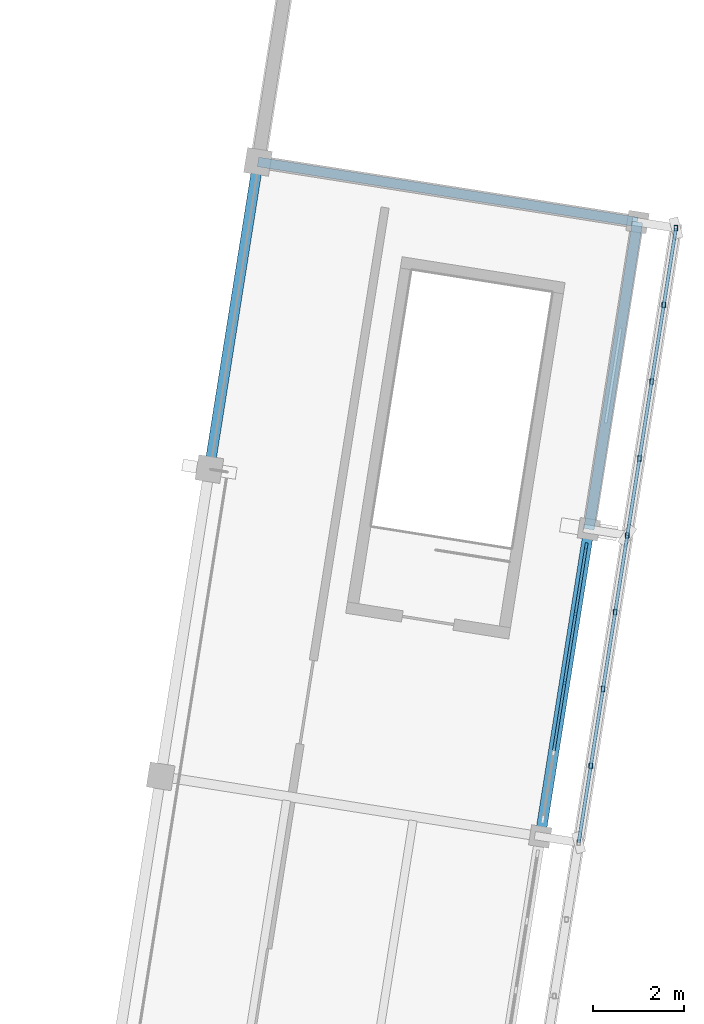
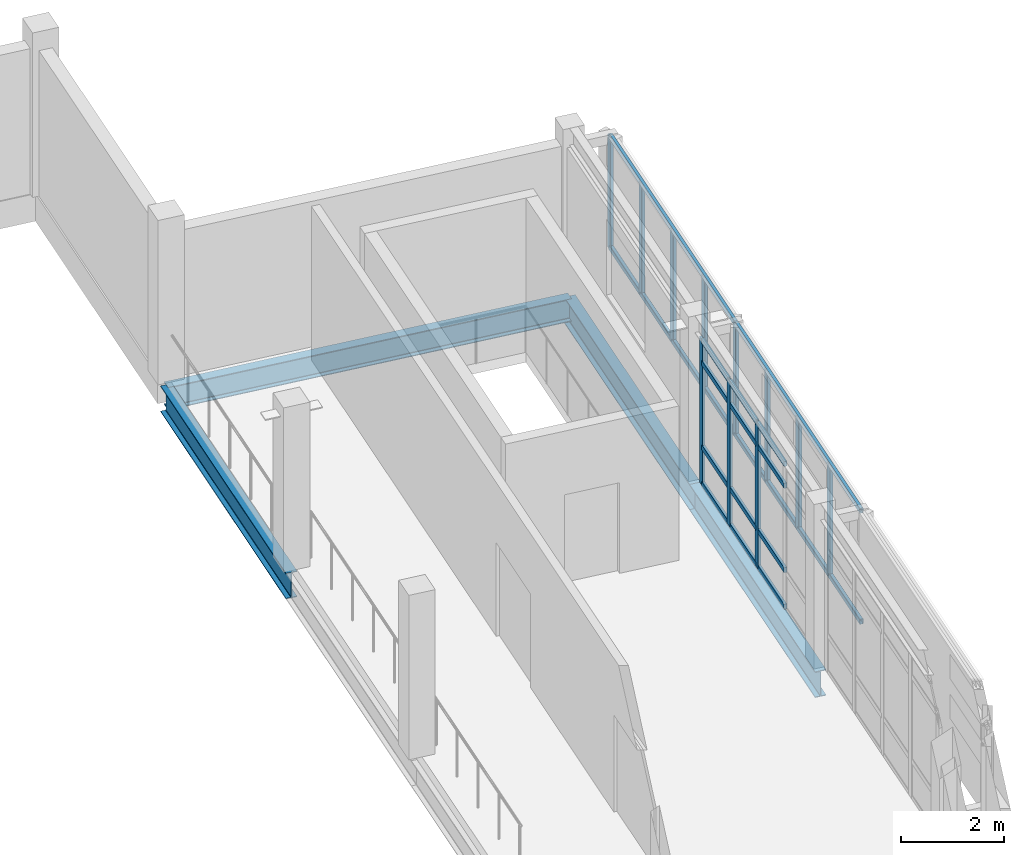
# One storey, part 77 of 117: 27 members, 4 beams, 1 element without a shape of its own.
"""IFC4 building model written with IfcOpenShell, lengths in metres."""

import ifcopenshell
import ifcopenshell.guid

model = None  # the IFC model being written
_history = None  # IfcOwnerHistory: only IFC2X3 demands one
_inside = {}  # id of a spatial element -> (the spatial element, [elements in it])
_under = {}  # id of a project, library or spatial element -> (it, [spatial elements below it])
_declared = {}  # id of a project -> (the project, [libraries it declares])
_typed = {}  # id of a type object -> (the type object, [elements of that type])
_made_of = {}  # id of a material, layer set ... -> (it, [elements and type objects made of it])


def new_model(schema):
    """Start an empty IFC model of exactly this schema.

    Asked for "IFC4X3", IfcOpenShell would pick the latest addendum, in which some entities
    have other attributes; the version numbers below select the first issue.
    IFC2X3 requires an IfcOwnerHistory on every rooted entity: one is made here for all.
    """
    global model, _history
    if schema == "IFC4X3":
        model = ifcopenshell.file(schema_version=(4, 3, 0, 0))
    else:
        model = ifcopenshell.file(schema=schema)
    _inside.clear()
    _under.clear()
    _declared.clear()
    _typed.clear()
    _made_of.clear()
    _history = None
    if model.schema == "IFC2X3":
        org = make("IfcOrganization", Name="unknown")
        user = make(
            "IfcPersonAndOrganization",
            ThePerson=make("IfcPerson", FamilyName="unknown"),
            TheOrganization=org,
        )
        app = make(
            "IfcApplication",
            ApplicationDeveloper=org,
            Version="unknown",
            ApplicationFullName="unknown",
            ApplicationIdentifier="unknown",
        )
        _history = make(
            "IfcOwnerHistory",
            OwningUser=user,
            OwningApplication=app,
            ChangeAction="ADDED",
            CreationDate=0,
        )
    return model


def make(cls, **values):
    """One entity of the class cls with the attributes given. An attribute that is None is left unset."""
    return model.create_entity(
        cls, **{name: value for name, value in values.items() if value is not None}
    )


def rooted(cls, **values):
    """An entity with a GlobalId (a new one), such as an element, a storey or a relation."""
    return make(cls, GlobalId=ifcopenshell.guid.new(), OwnerHistory=_history, **values)


def si_unit(unit_type, name, prefix=None):
    """IfcSIUnit, for example si_unit("LENGTHUNIT", "METRE", prefix="MILLI")."""
    return make("IfcSIUnit", UnitType=unit_type, Prefix=prefix, Name=name)


def assignment(units):
    """IfcUnitAssignment: the units of a project."""
    return None if units is None else make("IfcUnitAssignment", Units=units)


def point(xyz):
    """IfcCartesianPoint."""
    return None if xyz is None else make("IfcCartesianPoint", Coordinates=xyz)


def direction(xyz):
    """IfcDirection."""
    return None if xyz is None else make("IfcDirection", DirectionRatios=xyz)


def frame(location, z_axis=None, x_axis=None):
    """IfcAxis2Placement3D, a coordinate frame: its origin and axes. An axis left out is left unset."""
    return make(
        "IfcAxis2Placement3D",
        Location=point(location),
        Axis=direction(z_axis),
        RefDirection=direction(x_axis),
    )


def frame_2d(location, x_axis=None):
    """IfcAxis2Placement2D, a coordinate frame in the plane: its origin and x axis."""
    return make(
        "IfcAxis2Placement2D", Location=point(location), RefDirection=direction(x_axis)
    )


def origin():
    """The frame at (0, 0, 0) with its axes left unset."""
    return frame((0.0, 0.0, 0.0))


def origin_2d():
    """The frame at (0, 0) in the plane with its x axis left unset."""
    return frame_2d((0.0, 0.0))


def place(relative_to, where):
    """IfcLocalPlacement: puts the frame where relative to a parent placement (None: the world)."""
    return make(
        "IfcLocalPlacement", PlacementRelTo=relative_to, RelativePlacement=where
    )


def context(
    kind, dimensions, precision=None, world=None, true_north=None, identifier=None
):
    """IfcGeometricRepresentationContext, for example the 3D "Model" context."""
    return make(
        "IfcGeometricRepresentationContext",
        ContextIdentifier=identifier,
        ContextType=kind,
        CoordinateSpaceDimension=dimensions,
        Precision=precision,
        WorldCoordinateSystem=world,
        TrueNorth=true_north,
    )


def subcontext(parent, identifier, kind, view, scale=None):
    """IfcGeometricRepresentationSubContext, for example "Body" below "Model"."""
    return make(
        "IfcGeometricRepresentationSubContext",
        ContextIdentifier=identifier,
        ContextType=kind,
        ParentContext=parent,
        TargetScale=scale,
        TargetView=view,
    )


def project(units=None, contexts=None):
    """IfcProject with its units and contexts."""
    return rooted(
        "IfcProject",
        Name="project",
        RepresentationContexts=contexts,
        UnitsInContext=assignment(units),
    )


def spatial(cls, under=None, at=None, **own):
    """A site, building, storey or space (cls), placed at a placement, below another one or the project."""
    s = rooted(cls, ObjectPlacement=at, **own)
    if under is not None:
        _under.setdefault(under.id(), (under, []))[1].append(s)
    return s


def profile(cls, at=None, kind="AREA", **sizes):
    """A parametric profile (cls). Its sizes go by their IFC names, for example OverallWidth=200.0."""
    return make(cls, ProfileType=kind, Position=at, **sizes)


def rectangle(**sizes):
    """IfcRectangleProfileDef."""
    return profile("IfcRectangleProfileDef", **sizes)


def hollow_rectangle(**sizes):
    """IfcRectangleHollowProfileDef."""
    return profile("IfcRectangleHollowProfileDef", **sizes)


def i_section(**sizes):
    """IfcIShapeProfileDef."""
    return profile("IfcIShapeProfileDef", **sizes)


def extrude(swept, where, along, depth):
    """IfcExtrudedAreaSolid: the profile swept, set in the frame where, extruded along a direction by depth."""
    return make(
        "IfcExtrudedAreaSolid",
        SweptArea=swept,
        Position=where,
        ExtrudedDirection=direction(along),
        Depth=depth,
    )


def shape(context_of_items, identifier, shape_type, items):
    """IfcShapeRepresentation: the items that make up one representation, for example the "Body"."""
    return make(
        "IfcShapeRepresentation",
        ContextOfItems=context_of_items,
        RepresentationIdentifier=identifier,
        RepresentationType=shape_type,
        Items=items,
    )


def material(Name=None, Category=None):
    """IfcMaterial."""
    return make("IfcMaterial", Name=Name, Category=Category)


def material_profile(
    of_material, cross_section, Name=None, Category=None, Priority=None
):
    """IfcMaterialProfile: a cross section and its material."""
    return make(
        "IfcMaterialProfile",
        Name=Name,
        Material=of_material,
        Profile=cross_section,
        Priority=Priority,
        Category=Category,
    )


def profile_set(profiles, Name=None, composite=None):
    """IfcMaterialProfileSet."""
    return make(
        "IfcMaterialProfileSet",
        Name=Name,
        MaterialProfiles=profiles,
        CompositeProfile=composite,
    )


def made_of(thing, what):
    """Note that an element or type object is made of a material, layer set ...; save() writes the relation."""
    if what is not None:
        _made_of.setdefault(what.id(), (what, []))[1].append(thing)
    return thing


def type_object(cls, material=None, **own):
    """A type object (cls), such as IfcWallType, which elements share."""
    return made_of(rooted(cls, **own), material)


def element(
    cls,
    number,
    at=None,
    inside=None,
    cuts=None,
    type_object=None,
    material=None,
    context=None,
    identifier="Body",
    shape_type=None,
    held_by="IfcProductDefinitionShape",
    body=None,
    shapes=None,
    **own,
):
    """One element of the class cls, such as IfcWall. Its Tag is "e" and its number.

    at: its placement. inside: the storey or other place that contains it. cuts: it is an
    opening in that element (IfcRelVoidsElement). A single representation is given by context,
    identifier, shape_type and body (its items); several are given by shapes. held_by: the class
    of the entity that holds the representations. save() writes the other relations.
    """
    e = rooted(cls, Tag="e%d" % number, ObjectPlacement=at, **own)
    if body is not None:
        shapes = [shape(context, identifier, shape_type, body)]
    if shapes is not None:
        e.Representation = make(held_by, Representations=shapes)
    if inside is not None:
        _inside.setdefault(inside.id(), (inside, []))[1].append(e)
    if cuts is not None:
        rooted(
            "IfcRelVoidsElement", RelatingBuildingElement=cuts, RelatedOpeningElement=e
        )
    if type_object is not None:
        _typed.setdefault(type_object.id(), (type_object, []))[1].append(e)
    return made_of(e, material)


def aggregate(whole, parts):
    """IfcRelAggregates: a whole, such as a stair, and the parts it consists of."""
    return rooted("IfcRelAggregates", RelatingObject=whole, RelatedObjects=parts)


def save(model, path):
    """Write the relations noted so far, then the file.

    IfcRelAggregates (storeys below a building ...), IfcRelContainedInSpatialStructure (elements
    in a storey), IfcRelDefinesByType, IfcRelAssociatesMaterial and IfcRelDeclares: one each for
    every whole, place, type object, material and project.
    """
    for whole, parts in _under.values():
        aggregate(whole, parts)
    for where, things in _inside.values():
        rooted(
            "IfcRelContainedInSpatialStructure",
            RelatedElements=things,
            RelatingStructure=where,
        )
    for kind, things in _typed.values():
        rooted("IfcRelDefinesByType", RelatedObjects=things, RelatingType=kind)
    for what, things in _made_of.values():
        rooted("IfcRelAssociatesMaterial", RelatedObjects=things, RelatingMaterial=what)
    for by, libraries in _declared.values():
        rooted("IfcRelDeclares", RelatingContext=by, RelatedDefinitions=libraries)
    model.write(path)


model = new_model("IFC4")

# Units and contexts
model_context = context("Model", 3, precision=1e-05, world=origin(), true_north=direction((0.0, 1.0)))
body_context = subcontext(model_context, "Body", "Model", "MODEL_VIEW")
ifc_project = project(units=[si_unit("LENGTHUNIT", "METRE"), si_unit("AREAUNIT", "SQUARE_METRE"), si_unit("VOLUMEUNIT", "CUBIC_METRE"), si_unit("PLANEANGLEUNIT", "RADIAN"), si_unit("MASSUNIT", "GRAM", prefix="KILO")], contexts=[model_context])

# Site, building, storey
site_placement = place(None, origin())
site = spatial("IfcSite", under=ifc_project, at=site_placement, CompositionType="ELEMENT")
building_placement = place(site_placement, origin())
building = spatial("IfcBuilding", under=site, at=building_placement, Name="Cinderway Yard Community Centre", CompositionType="ELEMENT")
storey_placement = place(building_placement, frame((0.0, 0.0, 9.0)))
storey = spatial("IfcBuildingStorey", under=building, at=storey_placement, Name="L02", CompositionType="ELEMENT", Elevation=9.0)

# Curtain wall, members
ifc_material_1 = material(Name="Aluminium 6063-T6", Category="aluminium")
curtain_wall_type = type_object("IfcCurtainWallType", Name="ENV-CW-TYPE-19", PredefinedType="USERDEFINED", material=ifc_material_1)
curtain_wall_placement = place(storey_placement, origin())
curtain_wall = element("IfcCurtainWall", 1, at=curtain_wall_placement, inside=storey, type_object=curtain_wall_type, Name="Fitness East Curtain Wall ENV-CW-L02-ST-0068", ObjectType="GLAZED CURTAIN WALL", PredefinedType="USERDEFINED")
ifc_material_profile_1 = material_profile(ifc_material_1, rectangle(XDim=0.06005859375, YDim=0.159912109375, at=origin_2d()), Name="Aluminium 6063-T6")
ifc_profile_set_1 = profile_set([ifc_material_profile_1], Name="Aluminium 6063-T6")
member_type_1 = type_object("IfcMemberType", Name="ENV-CW-MULL-150", PredefinedType="MULLION", material=ifc_profile_set_1)
member_1_placement = place(storey_placement, frame((151.35400390625, 56.81396484375, 0.0), z_axis=(0.0, 0.0, 1.0), x_axis=(-0.987691073089, 0.156417211778, 0.0)))
member_1 = element("IfcMember", 2, at=member_1_placement, type_object=member_type_1, Name="CW-19 mullion 3", PredefinedType="MULLION", context=body_context, shape_type="SweptSolid", body=[
    extrude(rectangle(XDim=0.06005859375, YDim=0.159912109375, at=origin_2d()), origin(), (0.0, 0.0, 1.0), 3.449951171875),
])
member_2_placement = place(storey_placement, frame((151.592529296875, 58.320068359375, 0.0), z_axis=(0.0, 0.0, 1.0), x_axis=(-0.987691073089, 0.156417211778, 0.0)))
member_2 = element("IfcMember", 3, at=member_2_placement, type_object=member_type_1, Name="CW-19 mullion 4", PredefinedType="MULLION", context=body_context, shape_type="SweptSolid", body=[
    extrude(rectangle(XDim=0.06005859375, YDim=0.159912109375, at=origin_2d()), origin(), (0.0, 0.0, 1.0), 3.449951171875),
])
member_3_placement = place(storey_placement, frame((151.826416015625, 59.79638671875, 0.0), z_axis=(0.0, 0.0, 1.0), x_axis=(-0.987691073089, 0.156417211778, 0.0)))
member_3 = element("IfcMember", 4, at=member_3_placement, type_object=member_type_1, Name="CW-19 mullion 5", PredefinedType="MULLION", context=body_context, shape_type="SweptSolid", body=[
    extrude(rectangle(XDim=0.06005859375, YDim=0.159912109375, at=origin_2d()), origin(), (0.0, 0.0, 1.0), 3.449951171875),
])
ifc_material_profile_2 = material_profile(ifc_material_1, rectangle(XDim=0.06005859375, YDim=0.1201171875, at=origin_2d()), Name="Aluminium 6063-T6")
ifc_profile_set_2 = profile_set([ifc_material_profile_2], Name="Aluminium 6063-T6")
member_type_2 = type_object("IfcMemberType", Name="ENV-CW-TRAN-110", PredefinedType="USERDEFINED", material=ifc_profile_set_2)
member_4_placement = place(storey_placement, frame((151.1201171875, 55.337646484375, 0.030029296875), z_axis=(0.156501745439, 0.987677682078, 0.0), x_axis=(-0.987677682078, 0.156501745439, 0.0)))
member_4 = element("IfcMember", 5, at=member_4_placement, type_object=member_type_2, Name="CW-19 transom 2.1", ObjectType="TRANSOM", PredefinedType="USERDEFINED", context=body_context, shape_type="SweptSolid", body=[
    extrude(rectangle(XDim=0.06005859375, YDim=0.1201171875, at=origin_2d()), origin(), (0.0, 0.0, 1.0), 1.46484375),
])
member_5_placement = place(storey_placement, frame((151.1201171875, 55.337646484375, 0.89990234375), z_axis=(0.156501745439, 0.987677682078, 0.0), x_axis=(-0.987677682078, 0.156501745439, 0.0)))
member_5 = element("IfcMember", 6, at=member_5_placement, type_object=member_type_2, Name="CW-19 transom 2.2", ObjectType="TRANSOM", PredefinedType="USERDEFINED", context=body_context, shape_type="SweptSolid", body=[
    extrude(rectangle(XDim=0.06005859375, YDim=0.1201171875, at=origin_2d()), origin(), (0.0, 0.0, 1.0), 1.46484375),
])
member_6_placement = place(storey_placement, frame((151.1201171875, 55.337646484375, 2.89990234375), z_axis=(0.156501745439, 0.987677682078, 0.0), x_axis=(-0.987677682078, 0.156501745439, 0.0)))
member_6 = element("IfcMember", 7, at=member_6_placement, type_object=member_type_2, Name="CW-19 transom 2.3", ObjectType="TRANSOM", PredefinedType="USERDEFINED", context=body_context, shape_type="SweptSolid", body=[
    extrude(rectangle(XDim=0.06005859375, YDim=0.1201171875, at=origin_2d()), origin(), (0.0, 0.0, 1.0), 1.46484375),
])
member_7_placement = place(storey_placement, frame((151.1201171875, 55.337646484375, 3.419921875), z_axis=(0.156501745439, 0.987677682078, 0.0), x_axis=(-0.987677682078, 0.156501745439, 0.0)))
member_7 = element("IfcMember", 8, at=member_7_placement, type_object=member_type_2, Name="CW-19 transom 2.4", ObjectType="TRANSOM", PredefinedType="USERDEFINED", context=body_context, shape_type="SweptSolid", body=[
    extrude(rectangle(XDim=0.06005859375, YDim=0.1201171875, at=origin_2d()), origin(), (0.0, 0.0, 1.0), 1.46484375),
])
member_8_placement = place(storey_placement, frame((151.358642578125, 56.84375, 0.030029296875), z_axis=(0.156527512128, 0.987673598891, 0.0), x_axis=(-0.987673598891, 0.156527512128, 0.0)))
member_8 = element("IfcMember", 9, at=member_8_placement, type_object=member_type_2, Name="CW-19 transom 3.1", ObjectType="TRANSOM", PredefinedType="USERDEFINED", context=body_context, shape_type="SweptSolid", body=[
    extrude(rectangle(XDim=0.06005859375, YDim=0.1201171875, at=origin_2d()), origin(), (0.0, 0.0, 1.0), 1.464599609375),
])
member_9_placement = place(storey_placement, frame((151.358642578125, 56.84375, 0.89990234375), z_axis=(0.156527512128, 0.987673598891, 0.0), x_axis=(-0.987673598891, 0.156527512128, 0.0)))
member_9 = element("IfcMember", 10, at=member_9_placement, type_object=member_type_2, Name="CW-19 transom 3.2", ObjectType="TRANSOM", PredefinedType="USERDEFINED", context=body_context, shape_type="SweptSolid", body=[
    extrude(rectangle(XDim=0.06005859375, YDim=0.1201171875, at=origin_2d()), origin(), (0.0, 0.0, 1.0), 1.464599609375),
])
member_10_placement = place(storey_placement, frame((151.358642578125, 56.84375, 2.89990234375), z_axis=(0.156527512128, 0.987673598891, 0.0), x_axis=(-0.987673598891, 0.156527512128, 0.0)))
member_10 = element("IfcMember", 11, at=member_10_placement, type_object=member_type_2, Name="CW-19 transom 3.3", ObjectType="TRANSOM", PredefinedType="USERDEFINED", context=body_context, shape_type="SweptSolid", body=[
    extrude(rectangle(XDim=0.06005859375, YDim=0.1201171875, at=origin_2d()), origin(), (0.0, 0.0, 1.0), 1.464599609375),
])
member_11_placement = place(storey_placement, frame((151.358642578125, 56.84375, 3.419921875), z_axis=(0.156527512128, 0.987673598891, 0.0), x_axis=(-0.987673598891, 0.156527512128, 0.0)))
member_11 = element("IfcMember", 12, at=member_11_placement, type_object=member_type_2, Name="CW-19 transom 3.4", ObjectType="TRANSOM", PredefinedType="USERDEFINED", context=body_context, shape_type="SweptSolid", body=[
    extrude(rectangle(XDim=0.06005859375, YDim=0.1201171875, at=origin_2d()), origin(), (0.0, 0.0, 1.0), 1.464599609375),
])
member_12_placement = place(storey_placement, frame((151.59716796875, 58.349609375, 0.030029296875), z_axis=(0.156364473776, 0.98769942358, 0.0), x_axis=(-0.98769942358, 0.156364473776, 0.0)))
member_12 = element("IfcMember", 13, at=member_12_placement, type_object=member_type_2, Name="CW-19 transom 4.1", ObjectType="TRANSOM", PredefinedType="USERDEFINED", context=body_context, shape_type="SweptSolid", body=[
    extrude(rectangle(XDim=0.06005859375, YDim=0.1201171875, at=origin_2d()), origin(), (0.0, 0.0, 1.0), 1.434814453125),
])
member_13_placement = place(storey_placement, frame((151.59716796875, 58.349609375, 0.89990234375), z_axis=(0.156364473776, 0.98769942358, 0.0), x_axis=(-0.98769942358, 0.156364473776, 0.0)))
member_13 = element("IfcMember", 14, at=member_13_placement, type_object=member_type_2, Name="CW-19 transom 4.2", ObjectType="TRANSOM", PredefinedType="USERDEFINED", context=body_context, shape_type="SweptSolid", body=[
    extrude(rectangle(XDim=0.06005859375, YDim=0.1201171875, at=origin_2d()), origin(), (0.0, 0.0, 1.0), 1.434814453125),
])
member_14_placement = place(storey_placement, frame((151.59716796875, 58.349609375, 2.89990234375), z_axis=(0.156364473776, 0.98769942358, 0.0), x_axis=(-0.98769942358, 0.156364473776, 0.0)))
member_14 = element("IfcMember", 15, at=member_14_placement, type_object=member_type_2, Name="CW-19 transom 4.3", ObjectType="TRANSOM", PredefinedType="USERDEFINED", context=body_context, shape_type="SweptSolid", body=[
    extrude(rectangle(XDim=0.06005859375, YDim=0.1201171875, at=origin_2d()), origin(), (0.0, 0.0, 1.0), 1.434814453125),
])
member_15_placement = place(storey_placement, frame((151.59716796875, 58.349609375, 3.419921875), z_axis=(0.156364473776, 0.98769942358, 0.0), x_axis=(-0.98769942358, 0.156364473776, 0.0)))
member_15 = element("IfcMember", 16, at=member_15_placement, type_object=member_type_2, Name="CW-19 transom 4.4", ObjectType="TRANSOM", PredefinedType="USERDEFINED", context=body_context, shape_type="SweptSolid", body=[
    extrude(rectangle(XDim=0.06005859375, YDim=0.1201171875, at=origin_2d()), origin(), (0.0, 0.0, 1.0), 1.434814453125),
])
aggregate(curtain_wall, [member_1, member_2, member_3, member_4, member_5, member_6, member_7, member_8, member_9, member_10, member_11, member_12, member_13, member_14, member_15])

# Members
ifc_material_2 = material(Name="Steel S355", Category="steel")
ifc_material_profile_3 = material_profile(ifc_material_2, hollow_rectangle(XDim=0.080078125, YDim=0.1201171875, WallThickness=0.00634765625, InnerFilletRadius=0.00634765625, OuterFilletRadius=0.0126953125, at=origin_2d()), Name="Steel S355")
ifc_profile_set_3 = profile_set([ifc_material_profile_3], Name="Steel S355")
member_type_3 = type_object("IfcMemberType", Name="ENV-MEM-SCREEN-RAIL-120", PredefinedType="STRINGER", material=ifc_profile_set_3)
for number, where, z_axis, x_axis, name in (
    (17, (151.662109375, 53.322998046875, 0.7099609375), (0.156469575446, 0.987682779013, 0.0), (-0.987682779013, 0.156469575446, 0.0), "Screen support rail 1098-BOT"),
    (18, (151.662109375, 53.322998046875, 3.340087890625), (0.156469575446, 0.987682779013, 0.0), (-0.987682779013, 0.156469575446, 0.0), "Screen support rail 1099-TOP"),
):
    element("IfcMember", number, at=place(storey_placement, frame(where, z_axis=z_axis, x_axis=x_axis)), inside=storey, type_object=member_type_3, Name=name, PredefinedType="STRINGER", context=body_context, shape_type="SweptSolid", body=[
        extrude(hollow_rectangle(XDim=0.080078125, YDim=0.1201171875, WallThickness=0.00634765625, InnerFilletRadius=0.00634765625, OuterFilletRadius=0.0126953125, at=origin_2d()), origin(), (0.0, 0.0, 1.0), 6.7998046875),
    ])
for number, where, z_axis, x_axis, name in (
    (19, (151.927978515625, 55.001953125, 0.68994140625), (0.0, 0.0, 1.0), (1.0, 0.0, 0.0), "Screen vertical mullion 1100"),
    (20, (152.194091796875, 56.680908203125, 0.68994140625), (0.0, 0.0, 1.0), (1.0, 0.0, 0.0), "Screen vertical mullion 1101"),
    (21, (152.4599609375, 58.360107421875, 0.68994140625), (0.0, 0.0, 1.0), (1.0, 0.0, 0.0), "Screen vertical mullion 1102"),
    (22, (152.72607421875, 60.0390625, 0.68994140625), (0.0, 0.0, 1.0), (1.0, 0.0, 0.0), "Screen vertical mullion 1103"),
):
    element("IfcMember", number, at=place(storey_placement, frame(where, z_axis=z_axis, x_axis=x_axis)), inside=storey, type_object=member_type_3, Name=name, PredefinedType="STRINGER", context=body_context, shape_type="SweptSolid", body=[
        extrude(hollow_rectangle(XDim=0.080078125, YDim=0.1201171875, WallThickness=0.00634765625, InnerFilletRadius=0.00634765625, OuterFilletRadius=0.0126953125, at=origin_2d()), origin(), (0.0, 0.0, 1.0), 2.670166015625),
    ])
for number, where, z_axis, x_axis, name in (
    (23, (152.72607421875, 60.0390625, 0.7099609375), (0.156335015047, 0.987704086794, 0.0), (-0.987704086794, 0.156335015047, 0.0), "Screen support rail 1105-BOT"),
    (24, (152.72607421875, 60.0390625, 3.340087890625), (0.156335015047, 0.987704086794, 0.0), (-0.987704086794, 0.156335015047, 0.0), "Screen support rail 1106-TOP"),
):
    element("IfcMember", number, at=place(storey_placement, frame(where, z_axis=z_axis, x_axis=x_axis)), inside=storey, type_object=member_type_3, Name=name, PredefinedType="STRINGER", context=body_context, shape_type="SweptSolid", body=[
        extrude(hollow_rectangle(XDim=0.080078125, YDim=0.1201171875, WallThickness=0.00634765625, InnerFilletRadius=0.00634765625, OuterFilletRadius=0.0126953125, at=origin_2d()), origin(), (0.0, 0.0, 1.0), 6.79931640625),
    ])
for number, where, z_axis, x_axis, name in (
    (25, (152.991943359375, 61.718017578125, 0.68994140625), (0.0, 0.0, 1.0), (1.0, 0.0, 0.0), "Screen vertical mullion 1107"),
    (26, (153.257080078125, 63.39697265625, 0.68994140625), (0.0, 0.0, 1.0), (1.0, 0.0, 0.0), "Screen vertical mullion 1108"),
    (27, (153.52294921875, 65.075927734375, 0.68994140625), (0.0, 0.0, 1.0), (1.0, 0.0, 0.0), "Screen vertical mullion 1109"),
    (28, (153.7890625, 66.7548828125, 0.68994140625), (0.0, 0.0, 1.0), (1.0, 0.0, 0.0), "Screen vertical mullion 1110"),
):
    element("IfcMember", number, at=place(storey_placement, frame(where, z_axis=z_axis, x_axis=x_axis)), inside=storey, type_object=member_type_3, Name=name, PredefinedType="STRINGER", context=body_context, shape_type="SweptSolid", body=[
        extrude(hollow_rectangle(XDim=0.080078125, YDim=0.1201171875, WallThickness=0.00634765625, InnerFilletRadius=0.00634765625, OuterFilletRadius=0.0126953125, at=origin_2d()), origin(), (0.0, 0.0, 1.0), 2.670166015625),
    ])

# Beams
ifc_material_profile_4 = material_profile(ifc_material_2, i_section(OverallWidth=0.2109375, OverallDepth=0.5390625, WebThickness=0.010986328125, FlangeThickness=0.017333984375, FilletRadius=0.013916015625, at=origin_2d()), Name="Steel S355")
ifc_profile_set_4 = profile_set([ifc_material_profile_4], Name="Steel S355")
beam_type_1 = type_object("IfcBeamType", Name="STR-BM-W530X109", PredefinedType="BEAM", material=ifc_profile_set_4)
beam_1_placement = place(storey_placement, frame((144.653076171875, 68.201904296875, -0.510009765625), z_axis=(0.987687906226, -0.156437207514, 0.0), x_axis=(0.156437207514, 0.987687906226, 0.0)))
element("IfcBeam", 29, at=beam_1_placement, inside=storey, type_object=beam_type_1, Name="Primary girder STR-BM-L02-SB06-0409", PredefinedType="BEAM", context=body_context, shape_type="SweptSolid", body=[
    extrude(i_section(OverallWidth=0.2109375, OverallDepth=0.5390625, WebThickness=0.010986328125, FlangeThickness=0.017333984375, FilletRadius=0.013916015625, at=origin_2d()), origin(), (0.0, 0.0, 1.0), 8.3994140625),
])
ifc_material_profile_5 = material_profile(ifc_material_2, i_section(OverallWidth=0.22998046875, OverallDepth=0.616943359375, WebThickness=0.011962890625, FlangeThickness=0.01953125, FilletRadius=0.01611328125, at=origin_2d()), Name="Steel S355")
ifc_profile_set_5 = profile_set([ifc_material_profile_5], Name="Steel S355")
beam_type_2 = type_object("IfcBeamType", Name="STR-BM-W610X140", PredefinedType="BEAM", material=ifc_profile_set_5)
beam_2_placement = place(storey_placement, frame((143.589111328125, 61.486083984375, -0.549072265625), z_axis=(0.156475124325, 0.987681899939, 0.0), x_axis=(-0.987681899939, 0.156475124325, 0.0)))
element("IfcBeam", 30, at=beam_2_placement, inside=storey, type_object=beam_type_2, Name="Transverse girder STR-BM-L02-SB05-0413", PredefinedType="BEAM", context=body_context, shape_type="SweptSolid", body=[
    extrude(i_section(OverallWidth=0.22998046875, OverallDepth=0.616943359375, WebThickness=0.011962890625, FlangeThickness=0.01953125, FilletRadius=0.01611328125, at=origin_2d()), origin(), (0.0, 0.0, 1.0), 6.799560546875),
])
beam_3_placement = place(storey_placement, frame((150.822021484375, 53.4560546875, -0.549072265625), z_axis=(0.156469575446, 0.987682779013, 0.0), x_axis=(-0.987682779013, 0.156469575446, 0.0)))
element("IfcBeam", 31, at=beam_3_placement, inside=storey, type_object=beam_type_2, Name="Transverse girder STR-BM-L02-SB05-0416", PredefinedType="BEAM", context=body_context, shape_type="SweptSolid", body=[
    extrude(i_section(OverallWidth=0.22998046875, OverallDepth=0.616943359375, WebThickness=0.011962890625, FlangeThickness=0.01953125, FilletRadius=0.01611328125, at=origin_2d()), origin(), (0.0, 0.0, 1.0), 6.7998046875),
])
beam_4_placement = place(storey_placement, frame((151.885986328125, 60.172119140625, -0.549072265625), z_axis=(0.156335015047, 0.987704086794, 0.0), x_axis=(-0.987704086794, 0.156335015047, 0.0)))
element("IfcBeam", 32, at=beam_4_placement, inside=storey, type_object=beam_type_2, Name="Transverse girder STR-BM-L02-SB05-0417", PredefinedType="BEAM", context=body_context, shape_type="SweptSolid", body=[
    extrude(i_section(OverallWidth=0.22998046875, OverallDepth=0.616943359375, WebThickness=0.011962890625, FlangeThickness=0.01953125, FilletRadius=0.01611328125, at=origin_2d()), origin(), (0.0, 0.0, 1.0), 6.79931640625),
])

save(model, "model.ifc")
